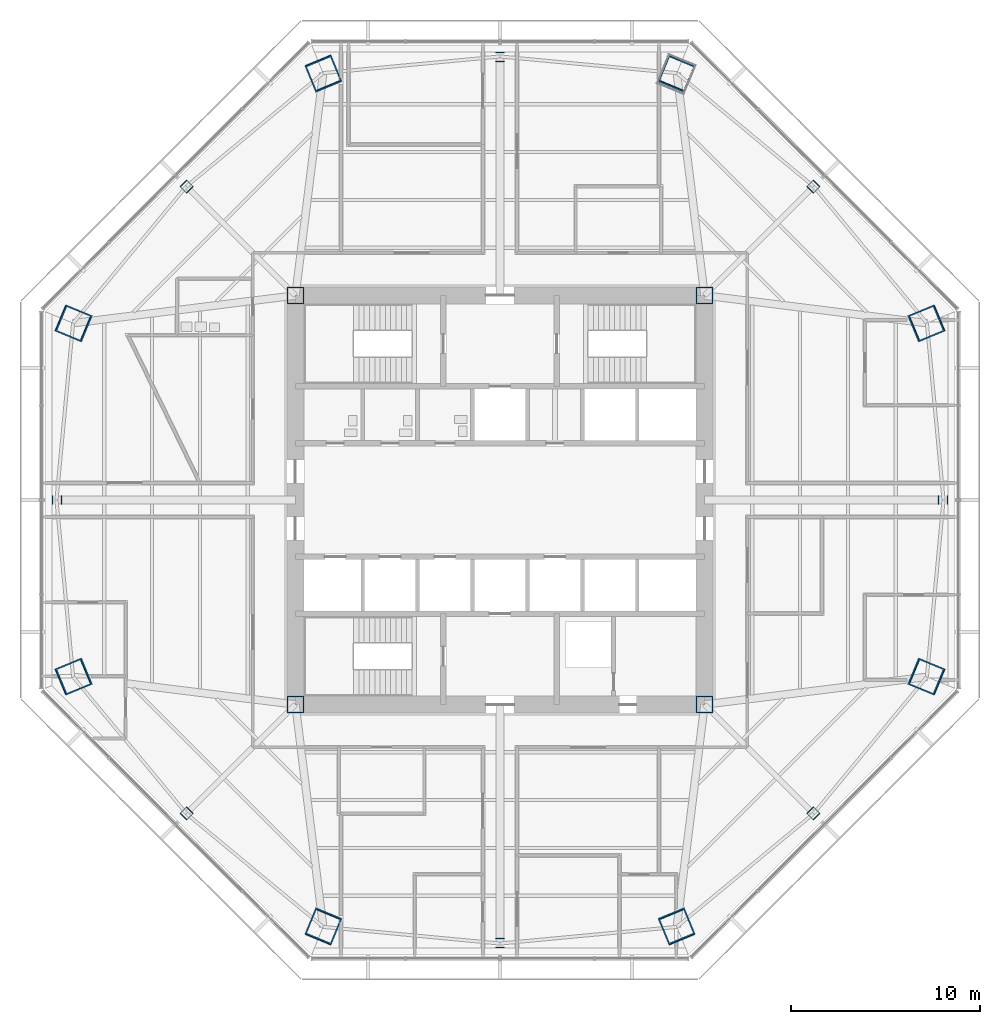
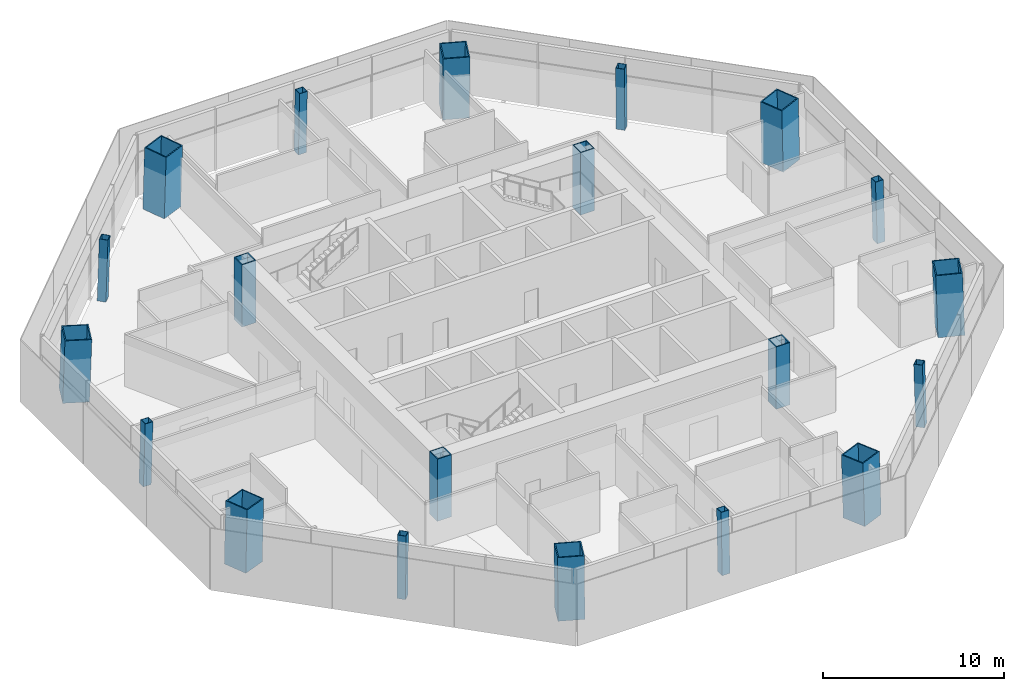
# One storey, part 1 of 14: 20 columns.
"""IFC4 building model written with IfcOpenShell, lengths in metres."""

from ifc_helpers import new_model, si_unit, direction, frame, origin, origin_2d, place, context, subcontext, project, spatial, hollow_rectangle, extrude, material, material_profile, profile_set, type_object, element, save


model = new_model("IFC4")

# Units and contexts
model_context = context("Model", 3, precision=1e-05, world=origin(), true_north=direction((0.0, 1.0)))
body_context = subcontext(model_context, "Body", "Model", "MODEL_VIEW")
ifc_project = project(units=[si_unit("LENGTHUNIT", "METRE"), si_unit("AREAUNIT", "SQUARE_METRE"), si_unit("VOLUMEUNIT", "CUBIC_METRE"), si_unit("PLANEANGLEUNIT", "RADIAN"), si_unit("MASSUNIT", "GRAM", prefix="KILO")], contexts=[model_context])

# Site, building, storey
site_placement = place(None, origin())
site = spatial("IfcSite", under=ifc_project, at=site_placement, CompositionType="ELEMENT")
building_placement = place(site_placement, origin())
building = spatial("IfcBuilding", under=site, at=building_placement, Name="Mashrafa Tower", CompositionType="ELEMENT")
storey_placement = place(building_placement, frame((0.0, 0.0, 134.39990234375)))
storey = spatial("IfcBuildingStorey", under=building, at=storey_placement, Name="L30", CompositionType="ELEMENT", Elevation=134.39990234375)

# Columns
ifc_material_1 = material(Name="Steel ASTM A572 Gr 50", Category="steel")
ifc_material_profile_1 = material_profile(ifc_material_1, hollow_rectangle(XDim=0.89990234375, YDim=0.89990234375, WallThickness=0.06005859375, at=origin_2d()), Name="BOX900X900X60")
ifc_profile_set_1 = profile_set([ifc_material_profile_1], Name="Steel ASTM A572 Gr 50")
column_type_1 = type_object("IfcColumnType", Name="Core corner column BOX900X900X60", PredefinedType="COLUMN", material=ifc_profile_set_1)
for number, where, z_axis, x_axis, name in (
    (1, (10.800048828125, 10.800048828125, 0.0), (0.0, 0.0, 1.0), (1.0, 0.0, 0.0), "Core corner column CC-NE L30"),
    (2, (-10.800048828125, 10.800048828125, 0.0), (0.0, 0.0, 1.0), (1.0, 0.0, 0.0), "Core corner column CC-NW L30"),
    (3, (-10.800048828125, -10.800048828125, 0.0), (0.0, 0.0, 1.0), (1.0, 0.0, 0.0), "Core corner column CC-SW L30"),
    (4, (10.800048828125, -10.800048828125, 0.0), (0.0, 0.0, 1.0), (1.0, 0.0, 0.0), "Core corner column CC-SE L30"),
):
    element("IfcColumn", number, at=place(storey_placement, frame(where, z_axis=z_axis, x_axis=x_axis)), inside=storey, type_object=column_type_1, Name=name, PredefinedType="COLUMN", context=body_context, shape_type="SweptSolid", body=[
        extrude(hollow_rectangle(XDim=0.89990234375, YDim=0.89990234375, WallThickness=0.06005859375, at=origin_2d()), origin(), (0.0, 0.0, 1.0), 4.2001953125),
    ])
ifc_material_2 = material(Name="Steel ASTM A572 Gr 50", Category="steel")
ifc_material_profile_2 = material_profile(ifc_material_2, hollow_rectangle(XDim=1.5, YDim=1.5, WallThickness=0.070068359375, at=origin_2d()), Name="BOX1500X1500X70")
ifc_profile_set_2 = profile_set([ifc_material_profile_2], Name="Steel ASTM A572 Gr 50")
column_type_2 = type_object("IfcColumnType", Name="Mega column CFST BOX1500X1500X70", PredefinedType="COLUMN", material=ifc_profile_set_2)
for number, where, z_axis, x_axis, name in (
    (5, (22.534423828125, 9.333984375, 0.0), (-0.028236053864, -0.011677874129, 0.999533067246), (0.382183844423, -0.924086310396, 0.0), "Mega column MC1 L30"),
    (6, (9.333984375, 22.534423828125, 0.0), (-0.011677874129, -0.028236053864, 0.999533067246), (0.924086310396, -0.382183844423, 0.0), "Mega column MC2 L30"),
    (7, (-9.333984375, 22.534423828125, 0.0), (0.011677874129, -0.028236053864, 0.999533067246), (0.924086310396, 0.382183844423, 0.0), "Mega column MC3 L30"),
    (8, (-22.534423828125, 9.333984375, 0.0), (0.028236053864, -0.011677874129, 0.999533067246), (0.382183844423, 0.924086310396, 0.0), "Mega column MC4 L30"),
    (9, (-22.534423828125, -9.333984375, 0.0), (0.028236053864, 0.011677874129, 0.999533067246), (-0.382183844423, 0.924086310396, 0.0), "Mega column MC5 L30"),
    (10, (-9.333984375, -22.534423828125, 0.0), (0.011677874129, 0.028236053864, 0.999533067246), (-0.924086310396, 0.382183844423, 0.0), "Mega column MC6 L30"),
    (11, (9.333984375, -22.534423828125, 0.0), (-0.011677874129, 0.028236053864, 0.999533067246), (-0.924086310396, -0.382183844423, 0.0), "Mega column MC7 L30"),
    (12, (22.534423828125, -9.333984375, 0.0), (-0.028236053864, 0.011677874129, 0.999533067246), (-0.382183844423, -0.924086310396, 0.0), "Mega column MC8 L30"),
):
    element("IfcColumn", number, at=place(storey_placement, frame(where, z_axis=z_axis, x_axis=x_axis)), inside=storey, type_object=column_type_2, Name=name, PredefinedType="COLUMN", context=body_context, shape_type="SweptSolid", body=[
        extrude(hollow_rectangle(XDim=1.5, YDim=1.5, WallThickness=0.070068359375, at=origin_2d()), origin(), (0.0, 0.0, 1.0), 4.2021484375),
    ])
ifc_material_3 = material(Name="Steel ASTM A572 Gr 50", Category="steel")
ifc_material_profile_3 = material_profile(ifc_material_3, hollow_rectangle(XDim=0.5, YDim=0.5, WallThickness=0.02490234375, at=origin_2d()), Name="BOX500X500X25")
ifc_profile_set_3 = profile_set([ifc_material_profile_3], Name="Steel ASTM A572 Gr 50")
column_type_3 = type_object("IfcColumnType", Name="Secondary column BOX500X500X25", PredefinedType="COLUMN", material=ifc_profile_set_3)
for number, where, z_axis, x_axis, name in (
    (13, (23.412841796875, 0.0, 0.0), (-0.02829603574, 0.0, 0.999599587015), (0.0, -1.0, 0.0), "Secondary column SC1 L30"),
    (14, (16.555419921875, 16.555419921875, 0.0), (-0.020045416454, -0.020045416454, 0.999598100518), (0.707106781187, -0.707106781187, 0.0), "Secondary column SC2 L30"),
    (15, (0.0, 23.412841796875, 0.0), (0.0, -0.02829603574, 0.999599587015), (1.0, 0.0, 0.0), "Secondary column SC3 L30"),
    (16, (-16.555419921875, 16.555419921875, 0.0), (0.020045416454, -0.020045416454, 0.999598100518), (0.707106781187, 0.707106781187, 0.0), "Secondary column SC4 L30"),
    (17, (-23.412841796875, 0.0, 0.0), (0.02829603574, 0.0, 0.999599587015), (0.0, 1.0, 0.0), "Secondary column SC5 L30"),
    (18, (-16.555419921875, -16.555419921875, 0.0), (0.020045416454, 0.020045416454, 0.999598100518), (-0.707106781187, 0.707106781187, 0.0), "Secondary column SC6 L30"),
    (19, (0.0, -23.412841796875, 0.0), (0.0, 0.02829603574, 0.999599587015), (-1.0, 0.0, 0.0), "Secondary column SC7 L30"),
    (20, (16.555419921875, -16.555419921875, 0.0), (-0.020045416454, 0.020045416454, 0.999598100518), (-0.707106781187, -0.707106781187, 0.0), "Secondary column SC8 L30"),
):
    element("IfcColumn", number, at=place(storey_placement, frame(where, z_axis=z_axis, x_axis=x_axis)), inside=storey, type_object=column_type_3, Name=name, PredefinedType="COLUMN", context=body_context, shape_type="SweptSolid", body=[
        extrude(hollow_rectangle(XDim=0.5, YDim=0.5, WallThickness=0.02490234375, at=origin_2d()), origin(), (0.0, 0.0, 1.0), 4.201904296875),
    ])

save(model, "model.ifc")
